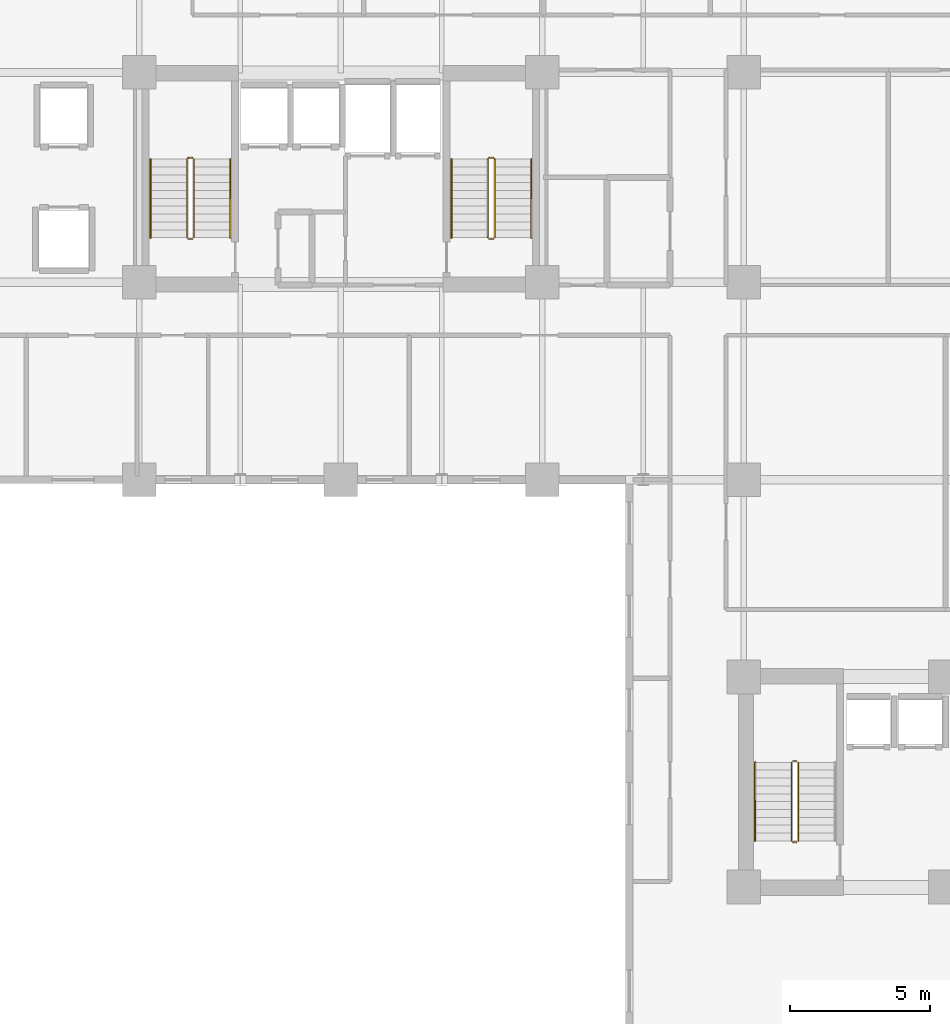
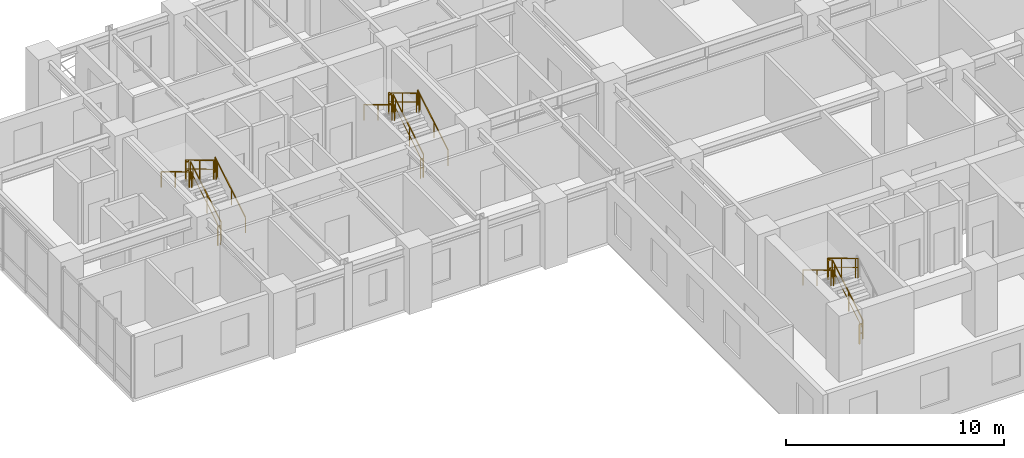
# One storey, part 15 of 17: 17 railings.
"""IFC4 building model written with IfcOpenShell, lengths in metres."""

from ifc_helpers import new_model, si_unit, direction, frame, origin, origin_2d, place, context, subcontext, project, spatial, rectangle, extrude, material, type_object, element, save


model = new_model("IFC4")

# Units and contexts
model_context = context("Model", 3, precision=1e-05, world=origin(), true_north=direction((0.0, 1.0)))
body_context = subcontext(model_context, "Body", "Model", "MODEL_VIEW")
ifc_project = project(units=[si_unit("LENGTHUNIT", "METRE"), si_unit("AREAUNIT", "SQUARE_METRE"), si_unit("VOLUMEUNIT", "CUBIC_METRE"), si_unit("PLANEANGLEUNIT", "RADIAN"), si_unit("MASSUNIT", "GRAM", prefix="KILO")], contexts=[model_context])

# Site, building, storey
site_placement = place(None, origin())
site = spatial("IfcSite", under=ifc_project, at=site_placement, CompositionType="ELEMENT")
building_placement = place(site_placement, origin())
building = spatial("IfcBuilding", under=site, at=building_placement, Name="Kaliganga Portal Commons", CompositionType="ELEMENT")
storey_placement = place(building_placement, frame((0.0, 0.0, 108.199951171875)))
storey = spatial("IfcBuildingStorey", under=building, at=storey_placement, Name="L27", CompositionType="ELEMENT", Elevation=108.199951171875)

# Railings
ifc_material_1 = material(Name="Galvanized Painted Steel Balustrade", Category="steel")
railing_type_1 = type_object("IfcRailingType", Name="RLG-STAIR-GRD", PredefinedType="GUARDRAIL", material=ifc_material_1)
railing_1_placement = place(storey_placement, frame((16.35009765625, 30.25, 0.168212890625)))
element("IfcRailing", 1, at=railing_1_placement, inside=storey, type_object=railing_type_1, Name="L27 ST-A1 stair guard 1", PredefinedType="GUARDRAIL", context=body_context, shape_type="SweptSolid", body=[
    extrude(rectangle(XDim=0.048095703125, YDim=0.048095703125, at=origin_2d()), frame((0.0, 0.0, 1.072021484375), z_axis=(0.0, 0.857242210791, 0.514913383045), x_axis=(-1.0, 0.0, 0.0)), (0.0, 0.0, 1.0), 3.266357421875),
    extrude(rectangle(XDim=0.028076171875, YDim=0.028076171875, at=origin_2d()), frame((0.0, 0.0, 0.572021484375), z_axis=(0.0, 0.857242210791, 0.514913383045), x_axis=(-1.0, 0.0, 0.0)), (0.0, 0.0, 1.0), 3.266357421875),
    extrude(rectangle(XDim=0.0419921875, YDim=0.0419921875, at=origin_2d()), origin(), (0.0, 0.0, 1.0), 1.052001953125),
    extrude(rectangle(XDim=0.0419921875, YDim=0.0419921875, at=origin_2d()), frame((0.0, 1.285888671875, 0.7724609375)), (0.0, 0.0, 1.0), 1.052001953125),
    extrude(rectangle(XDim=0.0419921875, YDim=0.0419921875, at=origin_2d()), frame((0.0, 2.57177734375, 1.544677734375)), (0.0, 0.0, 1.0), 1.052001953125),
    extrude(rectangle(XDim=0.0419921875, YDim=0.0419921875, at=origin_2d()), frame((0.0, 2.800048828125, 1.681884765625)), (0.0, 0.0, 1.0), 1.052001953125),
])
railing_2_placement = place(storey_placement, frame((16.300048828125, 33.10009765625, 1.85009765625)))
element("IfcRailing", 2, at=railing_2_placement, inside=storey, type_object=railing_type_1, Name="L27 ST-A1 stair guard 2", PredefinedType="GUARDRAIL", context=body_context, shape_type="SweptSolid", body=[
    extrude(rectangle(XDim=0.048095703125, YDim=0.048095703125, at=origin_2d()), frame((0.0, 0.0, 1.076171875), z_axis=(-1.0, 0.0, 0.0), x_axis=(0.0, -1.0, 0.0)), (0.0, 0.0, 1.0), 0.150146484375),
    extrude(rectangle(XDim=0.028076171875, YDim=0.028076171875, at=origin_2d()), frame((0.0, 0.0, 0.572021484375), z_axis=(-1.0, 0.0, 0.0), x_axis=(0.0, -1.0, 0.0)), (0.0, 0.0, 1.0), 0.150146484375),
    extrude(rectangle(XDim=0.0419921875, YDim=0.0419921875, at=origin_2d()), origin(), (0.0, 0.0, 1.0), 1.052001953125),
    extrude(rectangle(XDim=0.0419921875, YDim=0.0419921875, at=origin_2d()), frame((-0.150146484375, 0.0, 0.0)), (0.0, 0.0, 1.0), 1.052001953125),
])
railing_3_placement = place(storey_placement, frame((16.10009765625, 33.050048828125, 2.018310546875)))
element("IfcRailing", 3, at=railing_3_placement, inside=storey, type_object=railing_type_1, Name="L27 ST-A1 stair guard 3", PredefinedType="GUARDRAIL", context=body_context, shape_type="SweptSolid", body=[
    extrude(rectangle(XDim=0.048095703125, YDim=0.048095703125, at=origin_2d()), frame((0.0, 0.0, 1.072021484375), z_axis=(0.0, -0.857275202839, 0.514858452973), x_axis=(1.0, 0.0, 0.0)), (0.0, 0.0, 1.0), 3.26611328125),
    extrude(rectangle(XDim=0.028076171875, YDim=0.028076171875, at=origin_2d()), frame((0.0, 0.0, 0.572021484375), z_axis=(0.0, -0.857275202839, 0.514858452973), x_axis=(1.0, 0.0, 0.0)), (0.0, 0.0, 1.0), 3.26611328125),
    extrude(rectangle(XDim=0.0419921875, YDim=0.0419921875, at=origin_2d()), origin(), (0.0, 0.0, 1.0), 1.052001953125),
    extrude(rectangle(XDim=0.0419921875, YDim=0.0419921875, at=origin_2d()), frame((0.0, -1.285888671875, 0.772216796875)), (0.0, 0.0, 1.0), 1.052001953125),
    extrude(rectangle(XDim=0.0419921875, YDim=0.0419921875, at=origin_2d()), frame((0.0, -2.57177734375, 1.544677734375)), (0.0, 0.0, 1.0), 1.052001953125),
    extrude(rectangle(XDim=0.0419921875, YDim=0.0419921875, at=origin_2d()), frame((0.0, -2.800048828125, 1.681640625)), (0.0, 0.0, 1.0), 1.052001953125),
])
railing_4_placement = place(storey_placement, frame((16.300048828125, 30.199951171875, 0.0)))
element("IfcRailing", 4, at=railing_4_placement, inside=storey, type_object=railing_type_1, Name="L27 ST-A1 stair guard 4", PredefinedType="GUARDRAIL", context=body_context, shape_type="SweptSolid", body=[
    extrude(rectangle(XDim=0.048095703125, YDim=0.048095703125, at=origin_2d()), frame((0.0, 0.0, 1.076171875), z_axis=(-1.0, 0.0, 0.0), x_axis=(0.0, -1.0, 0.0)), (0.0, 0.0, 1.0), 0.150146484375),
    extrude(rectangle(XDim=0.028076171875, YDim=0.028076171875, at=origin_2d()), frame((0.0, 0.0, 0.572021484375), z_axis=(-1.0, 0.0, 0.0), x_axis=(0.0, -1.0, 0.0)), (0.0, 0.0, 1.0), 0.150146484375),
    extrude(rectangle(XDim=0.0419921875, YDim=0.0419921875, at=origin_2d()), origin(), (0.0, 0.0, 1.0), 1.052001953125),
    extrude(rectangle(XDim=0.0419921875, YDim=0.0419921875, at=origin_2d()), frame((-0.150146484375, 0.0, 0.0)), (0.0, 0.0, 1.0), 1.052001953125),
])
railing_5_placement = place(storey_placement, frame((27.10009765625, 30.25, 0.168212890625)))
element("IfcRailing", 5, at=railing_5_placement, inside=storey, type_object=railing_type_1, Name="L27 ST-A2 stair guard 1", PredefinedType="GUARDRAIL", context=body_context, shape_type="SweptSolid", body=[
    extrude(rectangle(XDim=0.048095703125, YDim=0.048095703125, at=origin_2d()), frame((0.0, 0.0, 1.072021484375), z_axis=(0.0, 0.857242210791, 0.514913383045), x_axis=(-1.0, 0.0, 0.0)), (0.0, 0.0, 1.0), 3.266357421875),
    extrude(rectangle(XDim=0.028076171875, YDim=0.028076171875, at=origin_2d()), frame((0.0, 0.0, 0.572021484375), z_axis=(0.0, 0.857242210791, 0.514913383045), x_axis=(-1.0, 0.0, 0.0)), (0.0, 0.0, 1.0), 3.266357421875),
    extrude(rectangle(XDim=0.0419921875, YDim=0.0419921875, at=origin_2d()), origin(), (0.0, 0.0, 1.0), 1.052001953125),
    extrude(rectangle(XDim=0.0419921875, YDim=0.0419921875, at=origin_2d()), frame((0.0, 1.285888671875, 0.7724609375)), (0.0, 0.0, 1.0), 1.052001953125),
    extrude(rectangle(XDim=0.0419921875, YDim=0.0419921875, at=origin_2d()), frame((0.0, 2.57177734375, 1.544677734375)), (0.0, 0.0, 1.0), 1.052001953125),
    extrude(rectangle(XDim=0.0419921875, YDim=0.0419921875, at=origin_2d()), frame((0.0, 2.800048828125, 1.681884765625)), (0.0, 0.0, 1.0), 1.052001953125),
])
railing_6_placement = place(storey_placement, frame((27.050048828125, 33.10009765625, 1.85009765625)))
element("IfcRailing", 6, at=railing_6_placement, inside=storey, type_object=railing_type_1, Name="L27 ST-A2 stair guard 2", PredefinedType="GUARDRAIL", context=body_context, shape_type="SweptSolid", body=[
    extrude(rectangle(XDim=0.048095703125, YDim=0.048095703125, at=origin_2d()), frame((0.0, 0.0, 1.076171875), z_axis=(-1.0, 0.0, 0.0), x_axis=(0.0, -1.0, 0.0)), (0.0, 0.0, 1.0), 0.150146484375),
    extrude(rectangle(XDim=0.028076171875, YDim=0.028076171875, at=origin_2d()), frame((0.0, 0.0, 0.572021484375), z_axis=(-1.0, 0.0, 0.0), x_axis=(0.0, -1.0, 0.0)), (0.0, 0.0, 1.0), 0.150146484375),
    extrude(rectangle(XDim=0.0419921875, YDim=0.0419921875, at=origin_2d()), origin(), (0.0, 0.0, 1.0), 1.052001953125),
    extrude(rectangle(XDim=0.0419921875, YDim=0.0419921875, at=origin_2d()), frame((-0.150146484375, 0.0, 0.0)), (0.0, 0.0, 1.0), 1.052001953125),
])
railing_7_placement = place(storey_placement, frame((26.85009765625, 33.050048828125, 2.018310546875)))
element("IfcRailing", 7, at=railing_7_placement, inside=storey, type_object=railing_type_1, Name="L27 ST-A2 stair guard 3", PredefinedType="GUARDRAIL", context=body_context, shape_type="SweptSolid", body=[
    extrude(rectangle(XDim=0.048095703125, YDim=0.048095703125, at=origin_2d()), frame((0.0, 0.0, 1.072021484375), z_axis=(0.0, -0.857275202839, 0.514858452973), x_axis=(1.0, 0.0, 0.0)), (0.0, 0.0, 1.0), 3.26611328125),
    extrude(rectangle(XDim=0.028076171875, YDim=0.028076171875, at=origin_2d()), frame((0.0, 0.0, 0.572021484375), z_axis=(0.0, -0.857275202839, 0.514858452973), x_axis=(1.0, 0.0, 0.0)), (0.0, 0.0, 1.0), 3.26611328125),
    extrude(rectangle(XDim=0.0419921875, YDim=0.0419921875, at=origin_2d()), origin(), (0.0, 0.0, 1.0), 1.052001953125),
    extrude(rectangle(XDim=0.0419921875, YDim=0.0419921875, at=origin_2d()), frame((0.0, -1.285888671875, 0.772216796875)), (0.0, 0.0, 1.0), 1.052001953125),
    extrude(rectangle(XDim=0.0419921875, YDim=0.0419921875, at=origin_2d()), frame((0.0, -2.57177734375, 1.544677734375)), (0.0, 0.0, 1.0), 1.052001953125),
    extrude(rectangle(XDim=0.0419921875, YDim=0.0419921875, at=origin_2d()), frame((0.0, -2.800048828125, 1.681640625)), (0.0, 0.0, 1.0), 1.052001953125),
])
railing_8_placement = place(storey_placement, frame((27.050048828125, 30.199951171875, 0.0)))
element("IfcRailing", 8, at=railing_8_placement, inside=storey, type_object=railing_type_1, Name="L27 ST-A2 stair guard 4", PredefinedType="GUARDRAIL", context=body_context, shape_type="SweptSolid", body=[
    extrude(rectangle(XDim=0.048095703125, YDim=0.048095703125, at=origin_2d()), frame((0.0, 0.0, 1.076171875), z_axis=(-1.0, 0.0, 0.0), x_axis=(0.0, -1.0, 0.0)), (0.0, 0.0, 1.0), 0.150146484375),
    extrude(rectangle(XDim=0.028076171875, YDim=0.028076171875, at=origin_2d()), frame((0.0, 0.0, 0.572021484375), z_axis=(-1.0, 0.0, 0.0), x_axis=(0.0, -1.0, 0.0)), (0.0, 0.0, 1.0), 0.150146484375),
    extrude(rectangle(XDim=0.0419921875, YDim=0.0419921875, at=origin_2d()), origin(), (0.0, 0.0, 1.0), 1.052001953125),
    extrude(rectangle(XDim=0.0419921875, YDim=0.0419921875, at=origin_2d()), frame((-0.150146484375, 0.0, 0.0)), (0.0, 0.0, 1.0), 1.052001953125),
])
railing_9_placement = place(storey_placement, frame((37.949951171875, 8.699951171875, 0.168212890625)))
element("IfcRailing", 9, at=railing_9_placement, inside=storey, type_object=railing_type_1, Name="L27 ST-B1 stair guard 1", PredefinedType="GUARDRAIL", context=body_context, shape_type="SweptSolid", body=[
    extrude(rectangle(XDim=0.048095703125, YDim=0.048095703125, at=origin_2d()), frame((0.0, 0.0, 1.072021484375), z_axis=(0.0, 0.857242210791, 0.514913383045), x_axis=(-1.0, 0.0, 0.0)), (0.0, 0.0, 1.0), 3.266357421875),
    extrude(rectangle(XDim=0.028076171875, YDim=0.028076171875, at=origin_2d()), frame((0.0, 0.0, 0.572021484375), z_axis=(0.0, 0.857242210791, 0.514913383045), x_axis=(-1.0, 0.0, 0.0)), (0.0, 0.0, 1.0), 3.266357421875),
    extrude(rectangle(XDim=0.0419921875, YDim=0.0419921875, at=origin_2d()), origin(), (0.0, 0.0, 1.0), 1.052001953125),
    extrude(rectangle(XDim=0.0419921875, YDim=0.0419921875, at=origin_2d()), frame((0.0, 1.285888671875, 0.7724609375)), (0.0, 0.0, 1.0), 1.052001953125),
    extrude(rectangle(XDim=0.0419921875, YDim=0.0419921875, at=origin_2d()), frame((0.0, 2.57177734375, 1.544677734375)), (0.0, 0.0, 1.0), 1.052001953125),
    extrude(rectangle(XDim=0.0419921875, YDim=0.0419921875, at=origin_2d()), frame((0.0, 2.800048828125, 1.681884765625)), (0.0, 0.0, 1.0), 1.052001953125),
])
railing_10_placement = place(storey_placement, frame((37.89990234375, 11.550048828125, 1.85009765625)))
element("IfcRailing", 10, at=railing_10_placement, inside=storey, type_object=railing_type_1, Name="L27 ST-B1 stair guard 2", PredefinedType="GUARDRAIL", context=body_context, shape_type="SweptSolid", body=[
    extrude(rectangle(XDim=0.048095703125, YDim=0.048095703125, at=origin_2d()), frame((0.0, 0.0, 1.076171875), z_axis=(-1.0, 0.0, 0.0), x_axis=(0.0, -1.0, 0.0)), (0.0, 0.0, 1.0), 0.14990234375),
    extrude(rectangle(XDim=0.028076171875, YDim=0.028076171875, at=origin_2d()), frame((0.0, 0.0, 0.572021484375), z_axis=(-1.0, 0.0, 0.0), x_axis=(0.0, -1.0, 0.0)), (0.0, 0.0, 1.0), 0.14990234375),
    extrude(rectangle(XDim=0.0419921875, YDim=0.0419921875, at=origin_2d()), frame((-0.14990234375, 0.0, 0.0)), (0.0, 0.0, 1.0), 1.052001953125),
])
railing_11_placement = place(storey_placement, frame((37.699951171875, 11.5, 2.018310546875)))
element("IfcRailing", 11, at=railing_11_placement, inside=storey, type_object=railing_type_1, Name="L27 ST-B1 stair guard 3", PredefinedType="GUARDRAIL", context=body_context, shape_type="SweptSolid", body=[
    extrude(rectangle(XDim=0.048095703125, YDim=0.048095703125, at=origin_2d()), frame((0.0, 0.0, 1.072021484375), z_axis=(0.0, -0.857275202839, 0.514858452973), x_axis=(1.0, 0.0, 0.0)), (0.0, 0.0, 1.0), 3.26611328125),
    extrude(rectangle(XDim=0.028076171875, YDim=0.028076171875, at=origin_2d()), frame((0.0, 0.0, 0.572021484375), z_axis=(0.0, -0.857275202839, 0.514858452973), x_axis=(1.0, 0.0, 0.0)), (0.0, 0.0, 1.0), 3.26611328125),
    extrude(rectangle(XDim=0.0419921875, YDim=0.0419921875, at=origin_2d()), origin(), (0.0, 0.0, 1.0), 1.052001953125),
    extrude(rectangle(XDim=0.0419921875, YDim=0.0419921875, at=origin_2d()), frame((0.0, -1.285888671875, 0.772216796875)), (0.0, 0.0, 1.0), 1.052001953125),
    extrude(rectangle(XDim=0.0419921875, YDim=0.0419921875, at=origin_2d()), frame((0.0, -2.57177734375, 1.544677734375)), (0.0, 0.0, 1.0), 1.052001953125),
    extrude(rectangle(XDim=0.0419921875, YDim=0.0419921875, at=origin_2d()), frame((0.0, -2.800048828125, 1.681640625)), (0.0, 0.0, 1.0), 1.052001953125),
])
railing_12_placement = place(storey_placement, frame((37.89990234375, 8.64990234375, 0.0)))
element("IfcRailing", 12, at=railing_12_placement, inside=storey, type_object=railing_type_1, Name="L27 ST-B1 stair guard 4", PredefinedType="GUARDRAIL", context=body_context, shape_type="SweptSolid", body=[
    extrude(rectangle(XDim=0.048095703125, YDim=0.048095703125, at=origin_2d()), frame((0.0, 0.0, 1.076171875), z_axis=(-1.0, 0.0, 0.0), x_axis=(0.0, -1.0, 0.0)), (0.0, 0.0, 1.0), 0.14990234375),
    extrude(rectangle(XDim=0.028076171875, YDim=0.028076171875, at=origin_2d()), frame((0.0, 0.0, 0.572021484375), z_axis=(-1.0, 0.0, 0.0), x_axis=(0.0, -1.0, 0.0)), (0.0, 0.0, 1.0), 0.14990234375),
    extrude(rectangle(XDim=0.0419921875, YDim=0.0419921875, at=origin_2d()), frame((-0.14990234375, 0.0, 0.0)), (0.0, 0.0, 1.0), 1.052001953125),
])
ifc_material_2 = material(Name="Brushed Stainless Steel 316", Category="steel")
railing_type_2 = type_object("IfcRailingType", Name="RLG-STAIR-HR", PredefinedType="HANDRAIL", material=ifc_material_2)
railing_13_placement = place(storey_placement, frame((17.64990234375, 30.25, 0.168212890625)))
element("IfcRailing", 13, at=railing_13_placement, inside=storey, type_object=railing_type_2, Name="L27 ST-A1 stair handrail 1", PredefinedType="HANDRAIL", context=body_context, shape_type="SweptSolid", body=[
    extrude(rectangle(XDim=0.048095703125, YDim=0.048095703125, at=origin_2d()), frame((0.0, 0.0, 0.871826171875), z_axis=(0.0, 0.857242210791, 0.514913383045), x_axis=(-1.0, 0.0, 0.0)), (0.0, 0.0, 1.0), 3.266357421875),
    extrude(rectangle(XDim=0.0419921875, YDim=0.0419921875, at=origin_2d()), origin(), (0.0, 0.0, 1.0), 0.851806640625),
    extrude(rectangle(XDim=0.0419921875, YDim=0.0419921875, at=origin_2d()), frame((0.0, 1.285888671875, 0.7724609375)), (0.0, 0.0, 1.0), 0.851806640625),
    extrude(rectangle(XDim=0.0419921875, YDim=0.0419921875, at=origin_2d()), frame((0.0, 2.57177734375, 1.544677734375)), (0.0, 0.0, 1.0), 0.851806640625),
    extrude(rectangle(XDim=0.0419921875, YDim=0.0419921875, at=origin_2d()), frame((0.0, 2.800048828125, 1.681884765625)), (0.0, 0.0, 1.0), 0.851806640625),
])
railing_14_placement = place(storey_placement, frame((14.800048828125, 33.050048828125, 2.018310546875)))
element("IfcRailing", 14, at=railing_14_placement, inside=storey, type_object=railing_type_2, Name="L27 ST-A1 stair handrail 2", PredefinedType="HANDRAIL", context=body_context, shape_type="SweptSolid", body=[
    extrude(rectangle(XDim=0.048095703125, YDim=0.048095703125, at=origin_2d()), frame((0.0, 0.0, 0.871826171875), z_axis=(0.0, -0.857275202839, 0.514858452973), x_axis=(1.0, 0.0, 0.0)), (0.0, 0.0, 1.0), 3.26611328125),
    extrude(rectangle(XDim=0.0419921875, YDim=0.0419921875, at=origin_2d()), origin(), (0.0, 0.0, 1.0), 0.851806640625),
    extrude(rectangle(XDim=0.0419921875, YDim=0.0419921875, at=origin_2d()), frame((0.0, -1.285888671875, 0.772216796875)), (0.0, 0.0, 1.0), 0.851806640625),
    extrude(rectangle(XDim=0.0419921875, YDim=0.0419921875, at=origin_2d()), frame((0.0, -2.57177734375, 1.544677734375)), (0.0, 0.0, 1.0), 0.851806640625),
    extrude(rectangle(XDim=0.0419921875, YDim=0.0419921875, at=origin_2d()), frame((0.0, -2.800048828125, 1.681640625)), (0.0, 0.0, 1.0), 0.851806640625),
])
railing_15_placement = place(storey_placement, frame((28.39990234375, 30.25, 0.168212890625)))
element("IfcRailing", 15, at=railing_15_placement, inside=storey, type_object=railing_type_2, Name="L27 ST-A2 stair handrail 1", PredefinedType="HANDRAIL", context=body_context, shape_type="SweptSolid", body=[
    extrude(rectangle(XDim=0.048095703125, YDim=0.048095703125, at=origin_2d()), frame((0.0, 0.0, 0.871826171875), z_axis=(0.0, 0.857242210791, 0.514913383045), x_axis=(-1.0, 0.0, 0.0)), (0.0, 0.0, 1.0), 3.266357421875),
    extrude(rectangle(XDim=0.0419921875, YDim=0.0419921875, at=origin_2d()), origin(), (0.0, 0.0, 1.0), 0.851806640625),
    extrude(rectangle(XDim=0.0419921875, YDim=0.0419921875, at=origin_2d()), frame((0.0, 1.285888671875, 0.7724609375)), (0.0, 0.0, 1.0), 0.851806640625),
    extrude(rectangle(XDim=0.0419921875, YDim=0.0419921875, at=origin_2d()), frame((0.0, 2.57177734375, 1.544677734375)), (0.0, 0.0, 1.0), 0.851806640625),
    extrude(rectangle(XDim=0.0419921875, YDim=0.0419921875, at=origin_2d()), frame((0.0, 2.800048828125, 1.681884765625)), (0.0, 0.0, 1.0), 0.851806640625),
])
for number, where, name in (
    (16, (25.550048828125, 33.050048828125, 2.018310546875), "L27 ST-A2 stair handrail 2"),
    (17, (36.39990234375, 11.5, 2.018310546875), "L27 ST-B1 stair handrail 2"),
):
    element("IfcRailing", number, at=place(storey_placement, frame(where)), inside=storey, type_object=railing_type_2, Name=name, PredefinedType="HANDRAIL", context=body_context, shape_type="SweptSolid", body=[
        extrude(rectangle(XDim=0.048095703125, YDim=0.048095703125, at=origin_2d()), frame((0.0, 0.0, 0.871826171875), z_axis=(0.0, -0.857275202839, 0.514858452973), x_axis=(1.0, 0.0, 0.0)), (0.0, 0.0, 1.0), 3.26611328125),
        extrude(rectangle(XDim=0.0419921875, YDim=0.0419921875, at=origin_2d()), origin(), (0.0, 0.0, 1.0), 0.851806640625),
        extrude(rectangle(XDim=0.0419921875, YDim=0.0419921875, at=origin_2d()), frame((0.0, -1.285888671875, 0.772216796875)), (0.0, 0.0, 1.0), 0.851806640625),
        extrude(rectangle(XDim=0.0419921875, YDim=0.0419921875, at=origin_2d()), frame((0.0, -2.57177734375, 1.544677734375)), (0.0, 0.0, 1.0), 0.851806640625),
        extrude(rectangle(XDim=0.0419921875, YDim=0.0419921875, at=origin_2d()), frame((0.0, -2.800048828125, 1.681640625)), (0.0, 0.0, 1.0), 0.851806640625),
    ])

save(model, "model.ifc")
